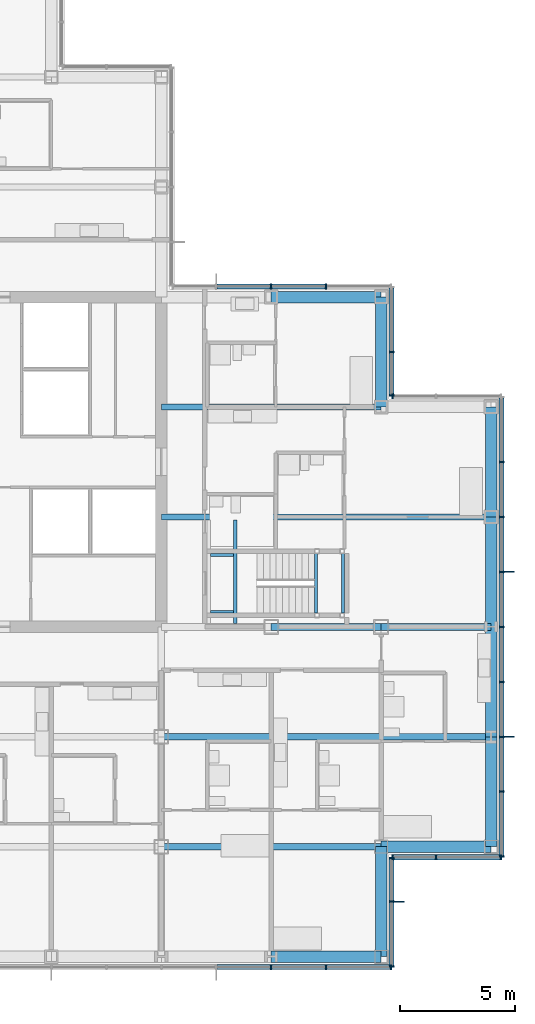
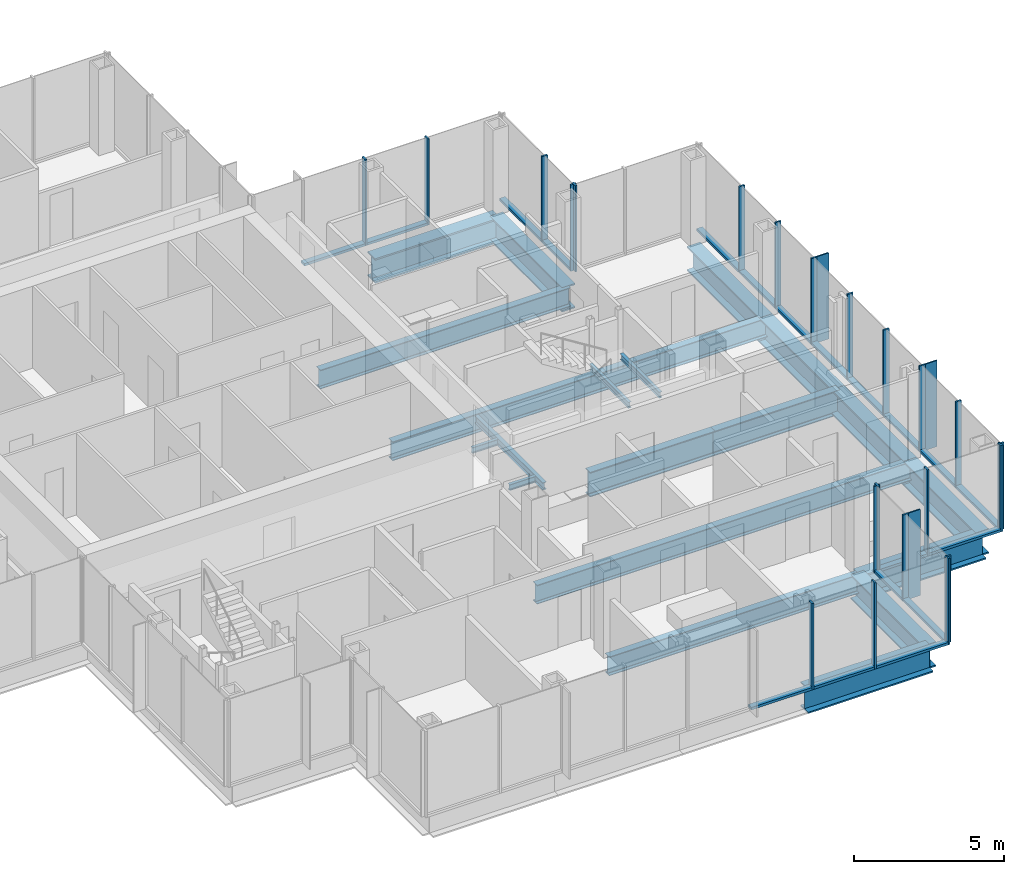
# One storey, part 8 of 19: 44 members, 20 beams, 7 elements without a shape of their own.
"""IFC4 building model written with IfcOpenShell, lengths in metres."""

from ifc_helpers import new_model, si_unit, direction, frame, origin, origin_2d, place, context, subcontext, project, spatial, rectangle, i_section, extrude, material, material_profile, profile_set, type_object, element, aggregate, save


model = new_model("IFC4")

# Units and contexts
model_context = context("Model", 3, precision=1e-05, world=origin(), true_north=direction((0.0, 1.0)))
body_context = subcontext(model_context, "Body", "Model", "MODEL_VIEW")
ifc_project = project(units=[si_unit("LENGTHUNIT", "METRE"), si_unit("AREAUNIT", "SQUARE_METRE"), si_unit("VOLUMEUNIT", "CUBIC_METRE"), si_unit("PLANEANGLEUNIT", "RADIAN"), si_unit("MASSUNIT", "GRAM", prefix="KILO")], contexts=[model_context])

# Site, building, storey
site_placement = place(None, origin())
site = spatial("IfcSite", under=ifc_project, at=site_placement, CompositionType="ELEMENT")
building_placement = place(site_placement, origin())
building = spatial("IfcBuilding", under=site, at=building_placement, Name="Kvirike Care Tower", CompositionType="ELEMENT")
storey_placement = place(building_placement, frame((0.0, 0.0, 108.5)))
storey = spatial("IfcBuildingStorey", under=building, at=storey_placement, Name="L29", CompositionType="ELEMENT", Elevation=108.5)

# Curtain wall, members
ifc_material_1 = material(Name="Anodised aluminium stick system", Category="aluminium")
curtain_wall_type = type_object("IfcCurtainWallType", Name="CW-B STICK CURTAIN WALL", PredefinedType="NOTDEFINED", material=ifc_material_1)
curtain_wall_1_placement = place(storey_placement, origin())
curtain_wall_1 = element("IfcCurtainWall", 1, at=curtain_wall_1_placement, inside=storey, type_object=curtain_wall_type, Name="Curtain wall L29 face 1", PredefinedType="NOTDEFINED")
ifc_material_2 = material(Name="Bronze anodised aluminium fin", Category="aluminium")
ifc_material_profile_1 = material_profile(ifc_material_2, rectangle(XDim=0.050048828125, YDim=0.449951171875, at=origin_2d()), Name="BRONZE FIN 450")
ifc_profile_set_1 = profile_set([ifc_material_profile_1], Name="Bronze anodised aluminium fin")
member_type_1 = type_object("IfcMemberType", Name="BRONZE FIN 450", PredefinedType="USERDEFINED", material=ifc_profile_set_1)
member_1_placement = place(storey_placement, frame((43.9951171875, 24.0, 0.0), z_axis=(0.0, 0.0, 1.0), x_axis=(0.0, 1.0, 0.0)))
member_1 = element("IfcMember", 2, at=member_1_placement, type_object=member_type_1, Name="Bronze fin L29 face 1.3", ObjectType="FIN", PredefinedType="USERDEFINED", context=body_context, shape_type="SweptSolid", body=[
    extrude(rectangle(XDim=0.050048828125, YDim=0.449951171875, at=origin_2d()), origin(), (0.0, 0.0, 1.0), 3.5),
])
member_2_placement = place(storey_placement, frame((43.9951171875, 31.199951171875, 0.0), z_axis=(0.0, 0.0, 1.0), x_axis=(0.0, 1.0, 0.0)))
member_2 = element("IfcMember", 3, at=member_2_placement, type_object=member_type_1, Name="Bronze fin L29 face 1.6", ObjectType="FIN", PredefinedType="USERDEFINED", context=body_context, shape_type="SweptSolid", body=[
    extrude(rectangle(XDim=0.050048828125, YDim=0.449951171875, at=origin_2d()), origin(), (0.0, 0.0, 1.0), 3.5),
])

# Curtain wall, member
curtain_wall_2_placement = place(storey_placement, origin())
curtain_wall_2 = element("IfcCurtainWall", 4, at=curtain_wall_2_placement, inside=storey, type_object=curtain_wall_type, Name="Curtain wall L29 face 19", PredefinedType="NOTDEFINED")
member_3_placement = place(storey_placement, frame((39.195068359375, 16.800048828125, 0.0), z_axis=(0.0, 0.0, 1.0), x_axis=(0.0, 1.0, 0.0)))
member_3 = element("IfcMember", 5, at=member_3_placement, type_object=member_type_1, Name="Bronze fin L29 face 19.2", ObjectType="FIN", PredefinedType="USERDEFINED", context=body_context, shape_type="SweptSolid", body=[
    extrude(rectangle(XDim=0.050048828125, YDim=0.449951171875, at=origin_2d()), origin(), (0.0, 0.0, 1.0), 3.5),
])

# Member
ifc_material_3 = material(Name="Bronze anodised aluminium mullion", Category="aluminium")
ifc_material_profile_2 = material_profile(ifc_material_3, rectangle(XDim=0.06494140625, YDim=0.219970703125, at=origin_2d()), Name="CW-B MULLION 65x220")
ifc_profile_set_2 = profile_set([ifc_material_profile_2], Name="Bronze anodised aluminium mullion")
member_type_2 = type_object("IfcMemberType", Name="CW-B MULLION 65x220", PredefinedType="MULLION", material=ifc_profile_set_2)
member_4_placement = place(storey_placement, frame((43.659912109375, 18.7724609375, 0.0), z_axis=(0.0, 0.0, 1.0), x_axis=(0.0, 1.0, 0.0)))
member_4 = element("IfcMember", 6, at=member_4_placement, type_object=member_type_2, Name="CW-B mullion L29 face 1.1", PredefinedType="MULLION", context=body_context, shape_type="SweptSolid", body=[
    extrude(rectangle(XDim=0.06494140625, YDim=0.219970703125, at=origin_2d()), origin(), (0.0, 0.0, 1.0), 3.5),
])

member_5_placement = place(storey_placement, frame((43.659912109375, 21.60009765625, 0.0), z_axis=(0.0, 0.0, 1.0), x_axis=(0.0, 1.0, 0.0)))
member_5 = element("IfcMember", 7, at=member_5_placement, type_object=member_type_2, Name="CW-B mullion L29 face 1.2", PredefinedType="MULLION", context=body_context, shape_type="SweptSolid", body=[
    extrude(rectangle(XDim=0.06494140625, YDim=0.219970703125, at=origin_2d()), origin(), (0.0, 0.0, 1.0), 3.5),
])

member_6_placement = place(storey_placement, frame((43.659912109375, 24.0, 0.0), z_axis=(0.0, 0.0, 1.0), x_axis=(0.0, 1.0, 0.0)))
member_6 = element("IfcMember", 8, at=member_6_placement, type_object=member_type_2, Name="CW-B mullion L29 face 1.3", PredefinedType="MULLION", context=body_context, shape_type="SweptSolid", body=[
    extrude(rectangle(XDim=0.06494140625, YDim=0.219970703125, at=origin_2d()), origin(), (0.0, 0.0, 1.0), 3.5),
])

member_7_placement = place(storey_placement, frame((43.659912109375, 26.39990234375, 0.0), z_axis=(0.0, 0.0, 1.0), x_axis=(0.0, 1.0, 0.0)))
member_7 = element("IfcMember", 9, at=member_7_placement, type_object=member_type_2, Name="CW-B mullion L29 face 1.4", PredefinedType="MULLION", context=body_context, shape_type="SweptSolid", body=[
    extrude(rectangle(XDim=0.06494140625, YDim=0.219970703125, at=origin_2d()), origin(), (0.0, 0.0, 1.0), 3.5),
])

member_8_placement = place(storey_placement, frame((43.659912109375, 28.800048828125, 0.0), z_axis=(0.0, 0.0, 1.0), x_axis=(0.0, 1.0, 0.0)))
member_8 = element("IfcMember", 10, at=member_8_placement, type_object=member_type_2, Name="CW-B mullion L29 face 1.5", PredefinedType="MULLION", context=body_context, shape_type="SweptSolid", body=[
    extrude(rectangle(XDim=0.06494140625, YDim=0.219970703125, at=origin_2d()), origin(), (0.0, 0.0, 1.0), 3.5),
])

member_9_placement = place(storey_placement, frame((43.659912109375, 31.199951171875, 0.0), z_axis=(0.0, 0.0, 1.0), x_axis=(0.0, 1.0, 0.0)))
member_9 = element("IfcMember", 11, at=member_9_placement, type_object=member_type_2, Name="CW-B mullion L29 face 1.6", PredefinedType="MULLION", context=body_context, shape_type="SweptSolid", body=[
    extrude(rectangle(XDim=0.06494140625, YDim=0.219970703125, at=origin_2d()), origin(), (0.0, 0.0, 1.0), 3.5),
])

member_10_placement = place(storey_placement, frame((43.659912109375, 33.60009765625, 0.0), z_axis=(0.0, 0.0, 1.0), x_axis=(0.0, 1.0, 0.0)))
member_10 = element("IfcMember", 12, at=member_10_placement, type_object=member_type_2, Name="CW-B mullion L29 face 1.7", PredefinedType="MULLION", context=body_context, shape_type="SweptSolid", body=[
    extrude(rectangle(XDim=0.06494140625, YDim=0.219970703125, at=origin_2d()), origin(), (0.0, 0.0, 1.0), 3.5),
])

member_11_placement = place(storey_placement, frame((43.659912109375, 36.0, 0.0), z_axis=(0.0, 0.0, 1.0), x_axis=(0.0, 1.0, 0.0)))
member_11 = element("IfcMember", 13, at=member_11_placement, type_object=member_type_2, Name="CW-B mullion L29 face 1.8", PredefinedType="MULLION", context=body_context, shape_type="SweptSolid", body=[
    extrude(rectangle(XDim=0.06494140625, YDim=0.219970703125, at=origin_2d()), origin(), (0.0, 0.0, 1.0), 3.5),
])

# Curtain wall, member
curtain_wall_3_placement = place(storey_placement, origin())
curtain_wall_3 = element("IfcCurtainWall", 14, at=curtain_wall_3_placement, inside=storey, type_object=curtain_wall_type, Name="Curtain wall L29 face 2", PredefinedType="NOTDEFINED")
member_12_placement = place(storey_placement, frame((38.892578125, 38.860107421875, 0.0), z_axis=(0.0, 0.0, 1.0), x_axis=(-1.0, 0.0, 0.0)))
member_12 = element("IfcMember", 15, at=member_12_placement, type_object=member_type_2, Name="CW-B mullion L29 face 2.3", PredefinedType="MULLION", context=body_context, shape_type="SweptSolid", body=[
    extrude(rectangle(XDim=0.06494140625, YDim=0.219970703125, at=origin_2d()), origin(), (0.0, 0.0, 1.0), 3.5),
])
aggregate(curtain_wall_3, [member_12])

# Curtain wall, members
curtain_wall_4_placement = place(storey_placement, origin())
curtain_wall_4 = element("IfcCurtainWall", 16, at=curtain_wall_4_placement, inside=storey, type_object=curtain_wall_type, Name="Curtain wall L29 face 3", PredefinedType="NOTDEFINED")
member_13_placement = place(storey_placement, frame((38.860107421875, 38.892578125, 0.0), z_axis=(0.0, 0.0, 1.0), x_axis=(0.0, 1.0, 0.0)))
member_13 = element("IfcMember", 17, at=member_13_placement, type_object=member_type_2, Name="CW-B mullion L29 face 3.1", PredefinedType="MULLION", context=body_context, shape_type="SweptSolid", body=[
    extrude(rectangle(XDim=0.06494140625, YDim=0.219970703125, at=origin_2d()), origin(), (0.0, 0.0, 1.0), 3.5),
])
member_14_placement = place(storey_placement, frame((38.860107421875, 40.800048828125, 0.0), z_axis=(0.0, 0.0, 1.0), x_axis=(0.0, 1.0, 0.0)))
member_14 = element("IfcMember", 18, at=member_14_placement, type_object=member_type_2, Name="CW-B mullion L29 face 3.2", PredefinedType="MULLION", context=body_context, shape_type="SweptSolid", body=[
    extrude(rectangle(XDim=0.06494140625, YDim=0.219970703125, at=origin_2d()), origin(), (0.0, 0.0, 1.0), 3.5),
])

curtain_wall_5_placement = place(storey_placement, origin())
curtain_wall_5 = element("IfcCurtainWall", 19, at=curtain_wall_5_placement, inside=storey, type_object=curtain_wall_type, Name="Curtain wall L29 face 4", PredefinedType="NOTDEFINED")
member_15_placement = place(storey_placement, frame((36.0, 43.659912109375, 0.0), z_axis=(0.0, 0.0, 1.0), x_axis=(-1.0, 0.0, 0.0)))
member_15 = element("IfcMember", 20, at=member_15_placement, type_object=member_type_2, Name="CW-B mullion L29 face 4.2", PredefinedType="MULLION", context=body_context, shape_type="SweptSolid", body=[
    extrude(rectangle(XDim=0.06494140625, YDim=0.219970703125, at=origin_2d()), origin(), (0.0, 0.0, 1.0), 3.5),
])
member_16_placement = place(storey_placement, frame((33.60009765625, 43.659912109375, 0.0), z_axis=(0.0, 0.0, 1.0), x_axis=(-1.0, 0.0, 0.0)))
member_16 = element("IfcMember", 21, at=member_16_placement, type_object=member_type_2, Name="CW-B mullion L29 face 4.3", PredefinedType="MULLION", context=body_context, shape_type="SweptSolid", body=[
    extrude(rectangle(XDim=0.06494140625, YDim=0.219970703125, at=origin_2d()), origin(), (0.0, 0.0, 1.0), 3.5),
])

curtain_wall_6_placement = place(storey_placement, origin())
curtain_wall_6 = element("IfcCurtainWall", 22, at=curtain_wall_6_placement, inside=storey, type_object=curtain_wall_type, Name="Curtain wall L29 face 18", PredefinedType="NOTDEFINED")
member_17_placement = place(storey_placement, frame((33.60009765625, 13.93994140625, 0.0), z_axis=(0.0, 0.0, 1.0), x_axis=(1.0, 0.0, 0.0)))
member_17 = element("IfcMember", 23, at=member_17_placement, type_object=member_type_2, Name="CW-B mullion L29 face 18.7", PredefinedType="MULLION", context=body_context, shape_type="SweptSolid", body=[
    extrude(rectangle(XDim=0.06494140625, YDim=0.219970703125, at=origin_2d()), origin(), (0.0, 0.0, 1.0), 3.5),
])
member_18_placement = place(storey_placement, frame((36.0, 13.93994140625, 0.0), z_axis=(0.0, 0.0, 1.0), x_axis=(1.0, 0.0, 0.0)))
member_18 = element("IfcMember", 24, at=member_18_placement, type_object=member_type_2, Name="CW-B mullion L29 face 18.8", PredefinedType="MULLION", context=body_context, shape_type="SweptSolid", body=[
    extrude(rectangle(XDim=0.06494140625, YDim=0.219970703125, at=origin_2d()), origin(), (0.0, 0.0, 1.0), 3.5),
])
member_19_placement = place(storey_placement, frame((38.827392578125, 13.93994140625, 0.0), z_axis=(0.0, 0.0, 1.0), x_axis=(1.0, 0.0, 0.0)))
member_19 = element("IfcMember", 25, at=member_19_placement, type_object=member_type_2, Name="CW-B mullion L29 face 18.9", PredefinedType="MULLION", context=body_context, shape_type="SweptSolid", body=[
    extrude(rectangle(XDim=0.06494140625, YDim=0.219970703125, at=origin_2d()), origin(), (0.0, 0.0, 1.0), 3.5),
])

# Member
member_20_placement = place(storey_placement, frame((38.860107421875, 13.972412109375, 0.0), z_axis=(0.0, 0.0, 1.0), x_axis=(0.0, 1.0, 0.0)))
member_20 = element("IfcMember", 26, at=member_20_placement, type_object=member_type_2, Name="CW-B mullion L29 face 19.1", PredefinedType="MULLION", context=body_context, shape_type="SweptSolid", body=[
    extrude(rectangle(XDim=0.06494140625, YDim=0.219970703125, at=origin_2d()), origin(), (0.0, 0.0, 1.0), 3.5),
])

member_21_placement = place(storey_placement, frame((38.860107421875, 16.800048828125, 0.0), z_axis=(0.0, 0.0, 1.0), x_axis=(0.0, 1.0, 0.0)))
member_21 = element("IfcMember", 27, at=member_21_placement, type_object=member_type_2, Name="CW-B mullion L29 face 19.2", PredefinedType="MULLION", context=body_context, shape_type="SweptSolid", body=[
    extrude(rectangle(XDim=0.06494140625, YDim=0.219970703125, at=origin_2d()), origin(), (0.0, 0.0, 1.0), 3.5),
])

member_22_placement = place(storey_placement, frame((38.860107421875, 18.70751953125, 0.0), z_axis=(0.0, 0.0, 1.0), x_axis=(0.0, 1.0, 0.0)))
member_22 = element("IfcMember", 28, at=member_22_placement, type_object=member_type_2, Name="CW-B mullion L29 face 19.3", PredefinedType="MULLION", context=body_context, shape_type="SweptSolid", body=[
    extrude(rectangle(XDim=0.06494140625, YDim=0.219970703125, at=origin_2d()), origin(), (0.0, 0.0, 1.0), 3.5),
])

# Curtain wall, members
curtain_wall_7_placement = place(storey_placement, origin())
curtain_wall_7 = element("IfcCurtainWall", 29, at=curtain_wall_7_placement, inside=storey, type_object=curtain_wall_type, Name="Curtain wall L29 face 20", PredefinedType="NOTDEFINED")
member_23_placement = place(storey_placement, frame((38.892578125, 18.739990234375, 0.0), z_axis=(0.0, 0.0, 1.0), x_axis=(1.0, 0.0, 0.0)))
member_23 = element("IfcMember", 30, at=member_23_placement, type_object=member_type_2, Name="CW-B mullion L29 face 20.1", PredefinedType="MULLION", context=body_context, shape_type="SweptSolid", body=[
    extrude(rectangle(XDim=0.06494140625, YDim=0.219970703125, at=origin_2d()), origin(), (0.0, 0.0, 1.0), 3.5),
])
member_24_placement = place(storey_placement, frame((40.800048828125, 18.739990234375, 0.0), z_axis=(0.0, 0.0, 1.0), x_axis=(1.0, 0.0, 0.0)))
member_24 = element("IfcMember", 31, at=member_24_placement, type_object=member_type_2, Name="CW-B mullion L29 face 20.2", PredefinedType="MULLION", context=body_context, shape_type="SweptSolid", body=[
    extrude(rectangle(XDim=0.06494140625, YDim=0.219970703125, at=origin_2d()), origin(), (0.0, 0.0, 1.0), 3.5),
])
member_25_placement = place(storey_placement, frame((43.62744140625, 18.739990234375, 0.0), z_axis=(0.0, 0.0, 1.0), x_axis=(1.0, 0.0, 0.0)))
member_25 = element("IfcMember", 32, at=member_25_placement, type_object=member_type_2, Name="CW-B mullion L29 face 20.3", PredefinedType="MULLION", context=body_context, shape_type="SweptSolid", body=[
    extrude(rectangle(XDim=0.06494140625, YDim=0.219970703125, at=origin_2d()), origin(), (0.0, 0.0, 1.0), 3.5),
])

# Member
ifc_material_4 = material(Name="Bronze anodised aluminium transom", Category="aluminium")
ifc_material_profile_3 = material_profile(ifc_material_4, rectangle(XDim=0.219970703125, YDim=0.10009765625, at=origin_2d()), Name="CW-B TRANSOM 220x100")
ifc_profile_set_3 = profile_set([ifc_material_profile_3], Name="Bronze anodised aluminium transom")
member_type_3 = type_object("IfcMemberType", Name="CW-B TRANSOM 220x100", PredefinedType="USERDEFINED", material=ifc_profile_set_3)
member_26_placement = place(storey_placement, frame((43.659912109375, 18.804931640625, 0.050048828125), z_axis=(0.0, 1.0, 0.0), x_axis=(-1.0, 0.0, 0.0)))
member_26 = element("IfcMember", 33, at=member_26_placement, type_object=member_type_3, Name="CW-B sill transom L29 face 1.1", ObjectType="TRANSOM", PredefinedType="USERDEFINED", context=body_context, shape_type="SweptSolid", body=[
    extrude(rectangle(XDim=0.219970703125, YDim=0.10009765625, at=origin_2d()), origin(), (0.0, 0.0, 1.0), 2.762451171875),
])

member_27_placement = place(storey_placement, frame((43.659912109375, 21.632568359375, 0.050048828125), z_axis=(0.0, 1.0, 0.0), x_axis=(-1.0, 0.0, 0.0)))
member_27 = element("IfcMember", 34, at=member_27_placement, type_object=member_type_3, Name="CW-B sill transom L29 face 1.2", ObjectType="TRANSOM", PredefinedType="USERDEFINED", context=body_context, shape_type="SweptSolid", body=[
    extrude(rectangle(XDim=0.219970703125, YDim=0.10009765625, at=origin_2d()), origin(), (0.0, 0.0, 1.0), 2.3349609375),
])

member_28_placement = place(storey_placement, frame((43.659912109375, 24.032470703125, 0.050048828125), z_axis=(0.0, 1.0, 0.0), x_axis=(-1.0, 0.0, 0.0)))
member_28 = element("IfcMember", 35, at=member_28_placement, type_object=member_type_3, Name="CW-B sill transom L29 face 1.3", ObjectType="TRANSOM", PredefinedType="USERDEFINED", context=body_context, shape_type="SweptSolid", body=[
    extrude(rectangle(XDim=0.219970703125, YDim=0.10009765625, at=origin_2d()), origin(), (0.0, 0.0, 1.0), 2.3349609375),
])

member_29_placement = place(storey_placement, frame((43.659912109375, 26.4326171875, 0.050048828125), z_axis=(0.0, 1.0, 0.0), x_axis=(-1.0, 0.0, 0.0)))
member_29 = element("IfcMember", 36, at=member_29_placement, type_object=member_type_3, Name="CW-B sill transom L29 face 1.4", ObjectType="TRANSOM", PredefinedType="USERDEFINED", context=body_context, shape_type="SweptSolid", body=[
    extrude(rectangle(XDim=0.219970703125, YDim=0.10009765625, at=origin_2d()), origin(), (0.0, 0.0, 1.0), 2.3349609375),
])

member_30_placement = place(storey_placement, frame((43.659912109375, 28.83251953125, 0.050048828125), z_axis=(0.0, 1.0, 0.0), x_axis=(-1.0, 0.0, 0.0)))
member_30 = element("IfcMember", 37, at=member_30_placement, type_object=member_type_3, Name="CW-B sill transom L29 face 1.5", ObjectType="TRANSOM", PredefinedType="USERDEFINED", context=body_context, shape_type="SweptSolid", body=[
    extrude(rectangle(XDim=0.219970703125, YDim=0.10009765625, at=origin_2d()), origin(), (0.0, 0.0, 1.0), 2.3349609375),
])

member_31_placement = place(storey_placement, frame((43.659912109375, 31.232421875, 0.050048828125), z_axis=(0.0, 1.0, 0.0), x_axis=(-1.0, 0.0, 0.0)))
member_31 = element("IfcMember", 38, at=member_31_placement, type_object=member_type_3, Name="CW-B sill transom L29 face 1.6", ObjectType="TRANSOM", PredefinedType="USERDEFINED", context=body_context, shape_type="SweptSolid", body=[
    extrude(rectangle(XDim=0.219970703125, YDim=0.10009765625, at=origin_2d()), origin(), (0.0, 0.0, 1.0), 2.3349609375),
])

member_32_placement = place(storey_placement, frame((43.659912109375, 33.632568359375, 0.050048828125), z_axis=(0.0, 1.0, 0.0), x_axis=(-1.0, 0.0, 0.0)))
member_32 = element("IfcMember", 39, at=member_32_placement, type_object=member_type_3, Name="CW-B sill transom L29 face 1.7", ObjectType="TRANSOM", PredefinedType="USERDEFINED", context=body_context, shape_type="SweptSolid", body=[
    extrude(rectangle(XDim=0.219970703125, YDim=0.10009765625, at=origin_2d()), origin(), (0.0, 0.0, 1.0), 2.3349609375),
])

member_33_placement = place(storey_placement, frame((43.659912109375, 36.032470703125, 0.050048828125), z_axis=(0.0, 1.0, 0.0), x_axis=(-1.0, 0.0, 0.0)))
member_33 = element("IfcMember", 40, at=member_33_placement, type_object=member_type_3, Name="CW-B sill transom L29 face 1.8", ObjectType="TRANSOM", PredefinedType="USERDEFINED", context=body_context, shape_type="SweptSolid", body=[
    extrude(rectangle(XDim=0.219970703125, YDim=0.10009765625, at=origin_2d()), origin(), (0.0, 0.0, 1.0), 2.762451171875),
])

aggregate(curtain_wall_1, [member_4, member_5, member_6, member_1, member_7, member_8, member_9, member_2, member_10, member_11, member_26, member_27, member_28, member_29, member_30, member_31, member_32, member_33])

member_34_placement = place(storey_placement, frame((38.860107421875, 38.925048828125, 0.050048828125), z_axis=(0.0, 1.0, 0.0), x_axis=(-1.0, 0.0, 0.0)))
member_34 = element("IfcMember", 41, at=member_34_placement, type_object=member_type_3, Name="CW-B sill transom L29 face 3.1", ObjectType="TRANSOM", PredefinedType="USERDEFINED", context=body_context, shape_type="SweptSolid", body=[
    extrude(rectangle(XDim=0.219970703125, YDim=0.10009765625, at=origin_2d()), origin(), (0.0, 0.0, 1.0), 1.842529296875),
])

member_35_placement = place(storey_placement, frame((38.860107421875, 40.83251953125, 0.050048828125), z_axis=(0.0, 1.0, 0.0), x_axis=(-1.0, 0.0, 0.0)))
member_35 = element("IfcMember", 42, at=member_35_placement, type_object=member_type_3, Name="CW-B sill transom L29 face 3.2", ObjectType="TRANSOM", PredefinedType="USERDEFINED", context=body_context, shape_type="SweptSolid", body=[
    extrude(rectangle(XDim=0.219970703125, YDim=0.10009765625, at=origin_2d()), origin(), (0.0, 0.0, 1.0), 2.762451171875),
])

aggregate(curtain_wall_4, [member_13, member_14, member_34, member_35])

member_36_placement = place(storey_placement, frame((35.967529296875, 43.659912109375, 0.050048828125), z_axis=(-1.0, 0.0, 0.0), x_axis=(0.0, -1.0, 0.0)))
member_36 = element("IfcMember", 43, at=member_36_placement, type_object=member_type_3, Name="CW-B sill transom L29 face 4.2", ObjectType="TRANSOM", PredefinedType="USERDEFINED", context=body_context, shape_type="SweptSolid", body=[
    extrude(rectangle(XDim=0.219970703125, YDim=0.10009765625, at=origin_2d()), origin(), (0.0, 0.0, 1.0), 2.3349609375),
])

member_37_placement = place(storey_placement, frame((33.5673828125, 43.659912109375, 0.050048828125), z_axis=(-1.0, 0.0, 0.0), x_axis=(0.0, -1.0, 0.0)))
member_37 = element("IfcMember", 44, at=member_37_placement, type_object=member_type_3, Name="CW-B sill transom L29 face 4.3", ObjectType="TRANSOM", PredefinedType="USERDEFINED", context=body_context, shape_type="SweptSolid", body=[
    extrude(rectangle(XDim=0.219970703125, YDim=0.10009765625, at=origin_2d()), origin(), (0.0, 0.0, 1.0), 2.3349609375),
])

aggregate(curtain_wall_5, [member_15, member_16, member_36, member_37])

member_38_placement = place(storey_placement, frame((31.232421875, 13.93994140625, 0.050048828125), z_axis=(1.0, 0.0, 0.0), x_axis=(0.0, 1.0, 0.0)))
member_38 = element("IfcMember", 45, at=member_38_placement, type_object=member_type_3, Name="CW-B sill transom L29 face 18.6", ObjectType="TRANSOM", PredefinedType="USERDEFINED", context=body_context, shape_type="SweptSolid", body=[
    extrude(rectangle(XDim=0.219970703125, YDim=0.10009765625, at=origin_2d()), origin(), (0.0, 0.0, 1.0), 2.3349609375),
])

member_39_placement = place(storey_placement, frame((33.632568359375, 13.93994140625, 0.050048828125), z_axis=(1.0, 0.0, 0.0), x_axis=(0.0, 1.0, 0.0)))
member_39 = element("IfcMember", 46, at=member_39_placement, type_object=member_type_3, Name="CW-B sill transom L29 face 18.7", ObjectType="TRANSOM", PredefinedType="USERDEFINED", context=body_context, shape_type="SweptSolid", body=[
    extrude(rectangle(XDim=0.219970703125, YDim=0.10009765625, at=origin_2d()), origin(), (0.0, 0.0, 1.0), 2.3349609375),
])

member_40_placement = place(storey_placement, frame((36.032470703125, 13.93994140625, 0.050048828125), z_axis=(1.0, 0.0, 0.0), x_axis=(0.0, 1.0, 0.0)))
member_40 = element("IfcMember", 47, at=member_40_placement, type_object=member_type_3, Name="CW-B sill transom L29 face 18.8", ObjectType="TRANSOM", PredefinedType="USERDEFINED", context=body_context, shape_type="SweptSolid", body=[
    extrude(rectangle(XDim=0.219970703125, YDim=0.10009765625, at=origin_2d()), origin(), (0.0, 0.0, 1.0), 2.762451171875),
])

aggregate(curtain_wall_6, [member_17, member_18, member_19, member_38, member_39, member_40])

member_41_placement = place(storey_placement, frame((38.860107421875, 14.0048828125, 0.050048828125), z_axis=(0.0, 1.0, 0.0), x_axis=(-1.0, 0.0, 0.0)))
member_41 = element("IfcMember", 48, at=member_41_placement, type_object=member_type_3, Name="CW-B sill transom L29 face 19.1", ObjectType="TRANSOM", PredefinedType="USERDEFINED", context=body_context, shape_type="SweptSolid", body=[
    extrude(rectangle(XDim=0.219970703125, YDim=0.10009765625, at=origin_2d()), origin(), (0.0, 0.0, 1.0), 2.7626953125),
])

member_42_placement = place(storey_placement, frame((38.860107421875, 16.83251953125, 0.050048828125), z_axis=(0.0, 1.0, 0.0), x_axis=(-1.0, 0.0, 0.0)))
member_42 = element("IfcMember", 49, at=member_42_placement, type_object=member_type_3, Name="CW-B sill transom L29 face 19.2", ObjectType="TRANSOM", PredefinedType="USERDEFINED", context=body_context, shape_type="SweptSolid", body=[
    extrude(rectangle(XDim=0.219970703125, YDim=0.10009765625, at=origin_2d()), origin(), (0.0, 0.0, 1.0), 1.842529296875),
])

aggregate(curtain_wall_2, [member_20, member_21, member_3, member_22, member_41, member_42])

member_43_placement = place(storey_placement, frame((38.925048828125, 18.739990234375, 0.050048828125), z_axis=(1.0, 0.0, 0.0), x_axis=(0.0, 1.0, 0.0)))
member_43 = element("IfcMember", 50, at=member_43_placement, type_object=member_type_3, Name="CW-B sill transom L29 face 20.1", ObjectType="TRANSOM", PredefinedType="USERDEFINED", context=body_context, shape_type="SweptSolid", body=[
    extrude(rectangle(XDim=0.219970703125, YDim=0.10009765625, at=origin_2d()), origin(), (0.0, 0.0, 1.0), 1.842529296875),
])

member_44_placement = place(storey_placement, frame((40.83251953125, 18.739990234375, 0.050048828125), z_axis=(1.0, 0.0, 0.0), x_axis=(0.0, 1.0, 0.0)))
member_44 = element("IfcMember", 51, at=member_44_placement, type_object=member_type_3, Name="CW-B sill transom L29 face 20.2", ObjectType="TRANSOM", PredefinedType="USERDEFINED", context=body_context, shape_type="SweptSolid", body=[
    extrude(rectangle(XDim=0.219970703125, YDim=0.10009765625, at=origin_2d()), origin(), (0.0, 0.0, 1.0), 2.762451171875),
])

aggregate(curtain_wall_7, [member_23, member_24, member_25, member_43, member_44])

# Beams
ifc_material_5 = material(Name="Steel S355", Category="steel")
ifc_material_profile_4 = material_profile(ifc_material_5, i_section(OverallWidth=0.26806640625, OverallDepth=0.77001953125, WebThickness=0.015625, FlangeThickness=0.025390625, FilletRadius=0.01708984375, at=origin_2d()), Name="IPE 750x196")
ifc_profile_set_4 = profile_set([ifc_material_profile_4], Name="Steel S355")
beam_type_1 = type_object("IfcBeamType", Name="FLOOR BEAM IPE 750x196", PredefinedType="BEAM", material=ifc_profile_set_4)
beam_1_placement = place(storey_placement, frame((28.800048828125, 19.199951171875, -0.554931640625), z_axis=(1.0, 0.0, 0.0), x_axis=(0.0, 1.0, 0.0)))
element("IfcBeam", 52, at=beam_1_placement, inside=storey, type_object=beam_type_1, Name="Floor Beam E9-E11 L29", PredefinedType="BEAM", context=body_context, shape_type="SweptSolid", body=[
    extrude(i_section(OverallWidth=0.26806640625, OverallDepth=0.77001953125, WebThickness=0.015625, FlangeThickness=0.025390625, FilletRadius=0.01708984375, at=origin_2d()), origin(), (0.0, 0.0, 1.0), 9.599853515625),
])
for number, where, z_axis, x_axis, name in (
    (53, (28.800048828125, 24.0, -0.554931640625), (1.0, 0.0, 0.0), (0.0, 1.0, 0.0), "Floor Beam F9-F12 L29"),
    (54, (28.800048828125, 33.60009765625, -0.554931640625), (1.0, 0.0, 0.0), (0.0, 1.0, 0.0), "Floor Beam H9-H12 L29"),
):
    element("IfcBeam", number, at=place(storey_placement, frame(where, z_axis=z_axis, x_axis=x_axis)), inside=storey, type_object=beam_type_1, Name=name, PredefinedType="BEAM", context=body_context, shape_type="SweptSolid", body=[
        extrude(i_section(OverallWidth=0.26806640625, OverallDepth=0.77001953125, WebThickness=0.015625, FlangeThickness=0.025390625, FilletRadius=0.01708984375, at=origin_2d()), origin(), (0.0, 0.0, 1.0), 14.39990234375),
    ])
beam_2_placement = place(storey_placement, frame((28.800048828125, 38.39990234375, -0.554931640625), z_axis=(1.0, 0.0, 0.0), x_axis=(0.0, 1.0, 0.0)))
element("IfcBeam", 55, at=beam_2_placement, inside=storey, type_object=beam_type_1, Name="Floor Beam J9-J11 L29", PredefinedType="BEAM", context=body_context, shape_type="SweptSolid", body=[
    extrude(i_section(OverallWidth=0.26806640625, OverallDepth=0.77001953125, WebThickness=0.015625, FlangeThickness=0.025390625, FilletRadius=0.01708984375, at=origin_2d()), origin(), (0.0, 0.0, 1.0), 9.599853515625),
])
ifc_material_6 = material(Name="Steel S355", Category="steel")
ifc_material_profile_5 = material_profile(ifc_material_6, i_section(OverallWidth=0.300048828125, OverallDepth=1.0, WebThickness=0.01904296875, FlangeThickness=0.035888671875, FilletRadius=0.030029296875, at=origin_2d()), Name="HE 1000 B")
ifc_profile_set_5 = profile_set([ifc_material_profile_5], Name="Steel S355")
beam_type_2 = type_object("IfcBeamType", Name="FRAME BEAM HE 1000 B", PredefinedType="BEAM", material=ifc_profile_set_5)
beam_3_placement = place(storey_placement, frame((33.60009765625, 28.800048828125, -0.669921875), z_axis=(1.0, 0.0, 0.0), x_axis=(0.0, 1.0, 0.0)))
element("IfcBeam", 56, at=beam_3_placement, inside=storey, type_object=beam_type_2, Name="Frame Beam G10-G11 L29", PredefinedType="BEAM", context=body_context, shape_type="SweptSolid", body=[
    extrude(i_section(OverallWidth=0.300048828125, OverallDepth=1.0, WebThickness=0.01904296875, FlangeThickness=0.035888671875, FilletRadius=0.030029296875, at=origin_2d()), origin(), (0.0, 0.0, 1.0), 4.7998046875),
])
beam_4_placement = place(storey_placement, frame((38.39990234375, 28.800048828125, -0.669921875), z_axis=(1.0, 0.0, 0.0), x_axis=(0.0, 1.0, 0.0)))
element("IfcBeam", 57, at=beam_4_placement, inside=storey, type_object=beam_type_2, Name="Frame Beam G11-G12 L29", PredefinedType="BEAM", context=body_context, shape_type="SweptSolid", body=[
    extrude(i_section(OverallWidth=0.300048828125, OverallDepth=1.0, WebThickness=0.01904296875, FlangeThickness=0.035888671875, FilletRadius=0.030029296875, at=origin_2d()), origin(), (0.0, 0.0, 1.0), 4.800048828125),
])
ifc_material_7 = material(Name="Steel S355", Category="steel")
ifc_material_profile_6 = material_profile(ifc_material_7, i_section(OverallWidth=0.5, OverallDepth=1.0, WebThickness=0.030029296875, FlangeThickness=0.06005859375, at=origin_2d()), Name="PG 1000x500x30x60")
ifc_profile_set_6 = profile_set([ifc_material_profile_6], Name="Steel S355")
beam_type_3 = type_object("IfcBeamType", Name="SPANDREL PG 1000x500x30x60", PredefinedType="SPANDREL", material=ifc_profile_set_6)
beam_5_placement = place(storey_placement, frame((33.60009765625, 14.39990234375, -0.669921875), z_axis=(1.0, 0.0, 0.0), x_axis=(0.0, 1.0, 0.0)))
element("IfcBeam", 58, at=beam_5_placement, inside=storey, type_object=beam_type_3, Name="Spandrel D10-D11 L29", PredefinedType="SPANDREL", context=body_context, shape_type="SweptSolid", body=[
    extrude(i_section(OverallWidth=0.5, OverallDepth=1.0, WebThickness=0.030029296875, FlangeThickness=0.06005859375, at=origin_2d()), origin(), (0.0, 0.0, 1.0), 4.7998046875),
])
beam_6_placement = place(storey_placement, frame((38.39990234375, 19.199951171875, -0.669921875), z_axis=(1.0, 0.0, 0.0), x_axis=(0.0, 1.0, 0.0)))
element("IfcBeam", 59, at=beam_6_placement, inside=storey, type_object=beam_type_3, Name="Spandrel E11-E12 L29", PredefinedType="SPANDREL", context=body_context, shape_type="SweptSolid", body=[
    extrude(i_section(OverallWidth=0.5, OverallDepth=1.0, WebThickness=0.030029296875, FlangeThickness=0.06005859375, at=origin_2d()), origin(), (0.0, 0.0, 1.0), 4.800048828125),
])
beam_7_placement = place(storey_placement, frame((33.60009765625, 43.199951171875, -0.669921875), z_axis=(1.0, 0.0, 0.0), x_axis=(0.0, 1.0, 0.0)))
element("IfcBeam", 60, at=beam_7_placement, inside=storey, type_object=beam_type_3, Name="Spandrel K10-K11 L29", PredefinedType="SPANDREL", context=body_context, shape_type="SweptSolid", body=[
    extrude(i_section(OverallWidth=0.5, OverallDepth=1.0, WebThickness=0.030029296875, FlangeThickness=0.06005859375, at=origin_2d()), origin(), (0.0, 0.0, 1.0), 4.7998046875),
])
for number, where, z_axis, x_axis, name in (
    (61, (38.39990234375, 14.39990234375, -0.669921875), (0.0, 1.0, 0.0), (-1.0, 0.0, 0.0), "Spandrel D11-E11 L29"),
    (62, (38.39990234375, 38.39990234375, -0.669921875), (0.0, 1.0, 0.0), (-1.0, 0.0, 0.0), "Spandrel J11-K11 L29"),
    (63, (43.199951171875, 19.199951171875, -0.669921875), (0.0, 1.0, 0.0), (-1.0, 0.0, 0.0), "Spandrel E12-F12 L29"),
    (64, (43.199951171875, 24.0, -0.669921875), (0.0, 1.0, 0.0), (-1.0, 0.0, 0.0), "Spandrel F12-G12 L29"),
    (65, (43.199951171875, 28.800048828125, -0.669921875), (0.0, 1.0, 0.0), (-1.0, 0.0, 0.0), "Spandrel G12-H12 L29"),
):
    element("IfcBeam", number, at=place(storey_placement, frame(where, z_axis=z_axis, x_axis=x_axis)), inside=storey, type_object=beam_type_3, Name=name, PredefinedType="SPANDREL", context=body_context, shape_type="SweptSolid", body=[
        extrude(i_section(OverallWidth=0.5, OverallDepth=1.0, WebThickness=0.030029296875, FlangeThickness=0.06005859375, at=origin_2d()), origin(), (0.0, 0.0, 1.0), 4.800048828125),
    ])
beam_8_placement = place(storey_placement, frame((43.199951171875, 33.60009765625, -0.669921875), z_axis=(0.0, 1.0, 0.0), x_axis=(-1.0, 0.0, 0.0)))
element("IfcBeam", 66, at=beam_8_placement, inside=storey, type_object=beam_type_3, Name="Spandrel H12-J12 L29", PredefinedType="SPANDREL", context=body_context, shape_type="SweptSolid", body=[
    extrude(i_section(OverallWidth=0.5, OverallDepth=1.0, WebThickness=0.030029296875, FlangeThickness=0.06005859375, at=origin_2d()), origin(), (0.0, 0.0, 1.0), 4.7998046875),
])
ifc_material_8 = material(Name="Steel S355", Category="steel")
ifc_material_profile_7 = material_profile(ifc_material_8, i_section(OverallWidth=0.1201171875, OverallDepth=0.239990234375, WebThickness=0.006103515625, FlangeThickness=0.009765625, FilletRadius=0.014892578125, at=origin_2d()), Name="IPE 240")
ifc_profile_set_7 = profile_set([ifc_material_profile_7], Name="Steel S355")
beam_type_4 = type_object("IfcBeamType", Name="STAIR LANDING BEAM IPE 240", PredefinedType="BEAM", material=ifc_profile_set_7)
for number, where, z_axis, x_axis, name in (
    (67, (36.739990234375, 29.39990234375, 1.429931640625), (0.0, 1.0, 0.0), (-1.0, 0.0, 0.0), "Stair 2 landing beam back L29"),
    (68, (35.56005859375, 29.39990234375, 1.429931640625), (0.0, 1.0, 0.0), (-1.0, 0.0, 0.0), "Stair 2 landing beam front L29"),
):
    element("IfcBeam", number, at=place(storey_placement, frame(where, z_axis=z_axis, x_axis=x_axis)), inside=storey, type_object=beam_type_4, Name=name, PredefinedType="BEAM", context=body_context, shape_type="SweptSolid", body=[
        extrude(i_section(OverallWidth=0.1201171875, OverallDepth=0.239990234375, WebThickness=0.006103515625, FlangeThickness=0.009765625, FilletRadius=0.014892578125, at=origin_2d()), origin(), (0.0, 0.0, 1.0), 2.60009765625),
    ])
for number, where, z_axis, x_axis, name in (
    (69, (31.949951171875, 29.4599609375, -0.320068359375), (-1.0, 0.0, 0.0), (0.0, -1.0, 0.0), "Stair 2 landing edge beam 1 L29"),
    (70, (31.949951171875, 31.93994140625, -0.320068359375), (-1.0, 0.0, 0.0), (0.0, -1.0, 0.0), "Stair 2 landing edge beam 2 L29"),
):
    element("IfcBeam", number, at=place(storey_placement, frame(where, z_axis=z_axis, x_axis=x_axis)), inside=storey, type_object=beam_type_4, Name=name, PredefinedType="BEAM", context=body_context, shape_type="SweptSolid", body=[
        extrude(i_section(OverallWidth=0.1201171875, OverallDepth=0.239990234375, WebThickness=0.006103515625, FlangeThickness=0.009765625, FilletRadius=0.014892578125, at=origin_2d()), origin(), (0.0, 0.0, 1.0), 1.0),
    ])
ifc_material_9 = material(Name="Steel S355", Category="steel")
ifc_material_profile_8 = material_profile(ifc_material_9, i_section(OverallWidth=0.14990234375, OverallDepth=0.300048828125, WebThickness=0.007080078125, FlangeThickness=0.0107421875, FilletRadius=0.014892578125, at=origin_2d()), Name="IPE 300")
ifc_profile_set_8 = profile_set([ifc_material_profile_8], Name="Steel S355")
beam_type_5 = type_object("IfcBeamType", Name="STAIR TRIMMER IPE 300", PredefinedType="BEAM", material=ifc_profile_set_8)
beam_9_placement = place(storey_placement, frame((32.02490234375, 28.949951171875, -0.35009765625), z_axis=(0.0, 1.0, 0.0), x_axis=(-1.0, 0.0, 0.0)))
element("IfcBeam", 71, at=beam_9_placement, inside=storey, type_object=beam_type_5, Name="Stair 2 trimmer 1 L29", PredefinedType="BEAM", context=body_context, shape_type="SweptSolid", body=[
    extrude(i_section(OverallWidth=0.14990234375, OverallDepth=0.300048828125, WebThickness=0.007080078125, FlangeThickness=0.0107421875, FilletRadius=0.014892578125, at=origin_2d()), origin(), (0.0, 0.0, 1.0), 4.51611328125),
])

save(model, "model.ifc")
